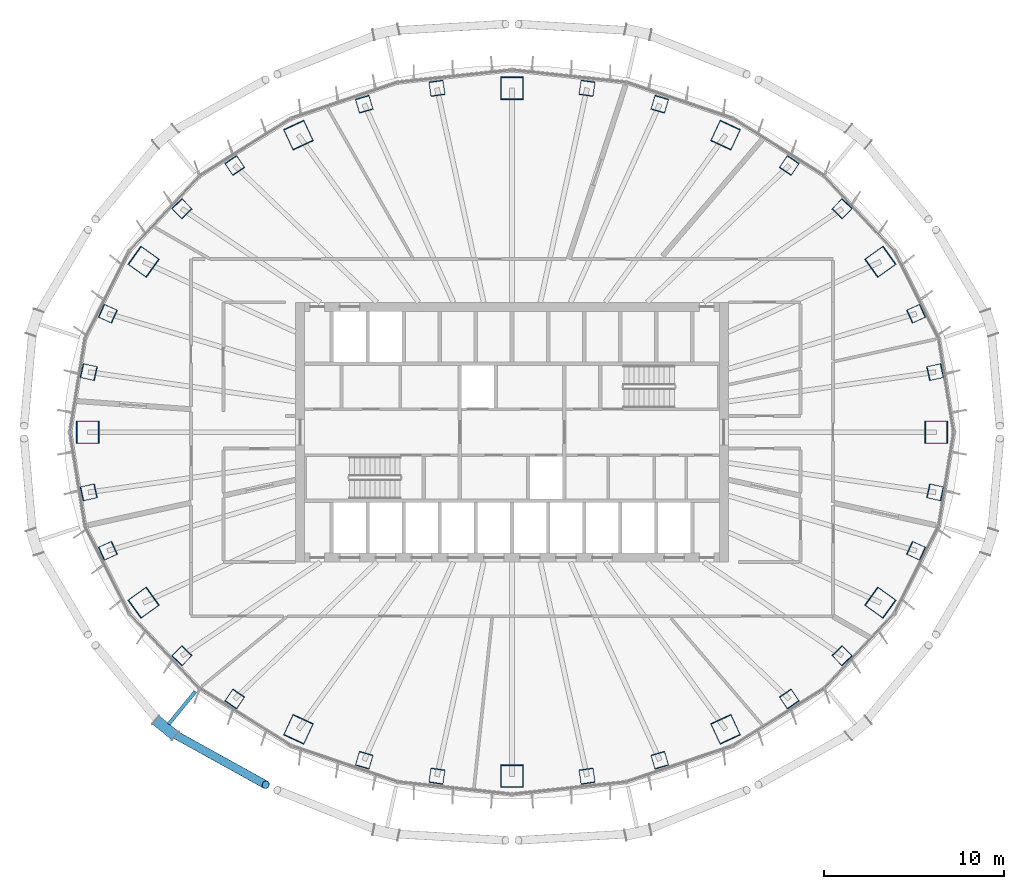
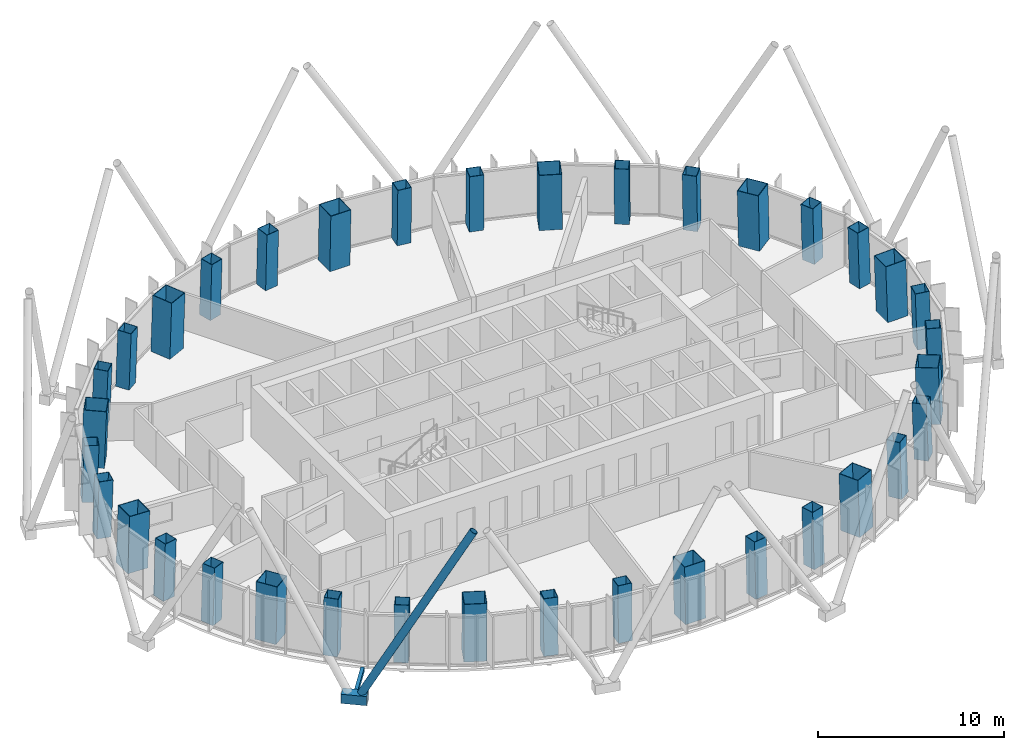
# One storey, part 1 of 18: 36 columns, 3 members.
"""IFC4 building model written with IfcOpenShell, lengths in metres."""

from ifc_helpers import new_model, si_unit, direction, frame, origin, origin_2d, place, context, subcontext, project, spatial, hollow_rectangle, hollow_circle, extrude, material, material_profile, profile_set, type_object, element, save


model = new_model("IFC4")

# Units and contexts
model_context = context("Model", 3, precision=1e-05, world=origin(), true_north=direction((0.0, 1.0)))
body_context = subcontext(model_context, "Body", "Model", "MODEL_VIEW")
ifc_project = project(units=[si_unit("LENGTHUNIT", "METRE"), si_unit("AREAUNIT", "SQUARE_METRE"), si_unit("VOLUMEUNIT", "CUBIC_METRE"), si_unit("PLANEANGLEUNIT", "RADIAN"), si_unit("MASSUNIT", "GRAM", prefix="KILO")], contexts=[model_context])

# Site, building, storey
site_placement = place(None, origin())
site = spatial("IfcSite", under=ifc_project, at=site_placement, CompositionType="ELEMENT")
building_placement = place(site_placement, origin())
building = spatial("IfcBuilding", under=site, at=building_placement, Name="Siaravel Broadcast Tower", CompositionType="ELEMENT")
storey_placement = place(building_placement, frame((0.0, 0.0, 141.5)))
storey = spatial("IfcBuildingStorey", under=building, at=storey_placement, Name="L34", CompositionType="ELEMENT", Elevation=141.5)

# Columns
ifc_material_1 = material(Name="Concrete C60/75", Category="concrete")
ifc_material_profile_1 = material_profile(ifc_material_1, hollow_rectangle(XDim=1.25, YDim=1.25, WallThickness=0.031982421875, at=origin_2d()))
ifc_profile_set_1 = profile_set([ifc_material_profile_1], Name="Concrete C60/75")
column_type_1 = type_object("IfcColumnType", Name="COL-CFT BOX 1250x1250x32", PredefinedType="COLUMN", material=ifc_profile_set_1)
column_1_placement = place(storey_placement, frame((23.544921875, 0.0, 0.0), z_axis=(-0.034621265, 0.0, 0.999400504), x_axis=(0.0, -1.0, 0.0)))
element("IfcColumn", 1, at=column_1_placement, inside=storey, type_object=column_type_1, Name="Megacolumn MC01", PredefinedType="COLUMN", context=body_context, shape_type="SweptSolid", body=[
    extrude(hollow_rectangle(XDim=1.25, YDim=1.25, WallThickness=0.031982421875, at=origin_2d()), origin(), (0.0, 0.0, 1.0), 3.7021484375),
])
column_2_placement = place(storey_placement, frame((20.444091796875, 9.459716796875, 0.0), z_axis=(-0.030006556, -0.014178922, 0.999449131), x_axis=(0.582587139, -0.81274639, 0.00596085)))
element("IfcColumn", 2, at=column_2_placement, inside=storey, type_object=column_type_1, Name="Megacolumn MC02", PredefinedType="COLUMN", context=body_context, shape_type="SweptSolid", body=[
    extrude(hollow_rectangle(XDim=1.25, YDim=1.25, WallThickness=0.031982421875, at=origin_2d()), origin(), (0.0, 0.0, 1.0), 3.701904296875),
])
column_3_placement = place(storey_placement, frame((11.852294921875, 16.488037109375, 0.0), z_axis=(-0.017346173, -0.024535271, 0.999548463), x_axis=(0.90729141, -0.420467448, 0.0054242)))
element("IfcColumn", 3, at=column_3_placement, inside=storey, type_object=column_type_1, Name="Megacolumn MC03", PredefinedType="COLUMN", context=body_context, shape_type="SweptSolid", body=[
    extrude(hollow_rectangle(XDim=1.25, YDim=1.25, WallThickness=0.031982421875, at=origin_2d()), origin(), (0.0, 0.0, 1.0), 3.70166015625),
])
column_4_placement = place(storey_placement, frame((0.0, 19.0869140625, 0.0), z_axis=(0.0, -0.02836206, 0.999597716), x_axis=(1.0, 0.0, 0.0)))
element("IfcColumn", 4, at=column_4_placement, inside=storey, type_object=column_type_1, Name="Megacolumn MC04", PredefinedType="COLUMN", context=body_context, shape_type="SweptSolid", body=[
    extrude(hollow_rectangle(XDim=1.25, YDim=1.25, WallThickness=0.031982421875, at=origin_2d()), origin(), (0.0, 0.0, 1.0), 3.701416015625),
])
column_5_placement = place(storey_placement, frame((-11.852294921875, 16.488037109375, 0.0), z_axis=(0.017346173, -0.024535271, 0.999548463), x_axis=(0.90729141, 0.420467448, -0.0054242)))
element("IfcColumn", 5, at=column_5_placement, inside=storey, type_object=column_type_1, Name="Megacolumn MC05", PredefinedType="COLUMN", context=body_context, shape_type="SweptSolid", body=[
    extrude(hollow_rectangle(XDim=1.25, YDim=1.25, WallThickness=0.031982421875, at=origin_2d()), origin(), (0.0, 0.0, 1.0), 3.70166015625),
])
column_6_placement = place(storey_placement, frame((-20.444091796875, 9.459716796875, 0.0), z_axis=(0.030006556, -0.014178922, 0.999449131), x_axis=(0.582587139, 0.81274639, -0.00596085)))
element("IfcColumn", 6, at=column_6_placement, inside=storey, type_object=column_type_1, Name="Megacolumn MC06", PredefinedType="COLUMN", context=body_context, shape_type="SweptSolid", body=[
    extrude(hollow_rectangle(XDim=1.25, YDim=1.25, WallThickness=0.031982421875, at=origin_2d()), origin(), (0.0, 0.0, 1.0), 3.701904296875),
])
column_7_placement = place(storey_placement, frame((-23.544921875, 0.0, 0.0), z_axis=(0.034621265, 0.0, 0.999400504), x_axis=(0.0, 1.0, 0.0)))
element("IfcColumn", 7, at=column_7_placement, inside=storey, type_object=column_type_1, Name="Megacolumn MC07", PredefinedType="COLUMN", context=body_context, shape_type="SweptSolid", body=[
    extrude(hollow_rectangle(XDim=1.25, YDim=1.25, WallThickness=0.031982421875, at=origin_2d()), origin(), (0.0, 0.0, 1.0), 3.7021484375),
])
column_8_placement = place(storey_placement, frame((-20.444091796875, -9.459716796875, 0.0), z_axis=(0.030006556, 0.014178922, 0.999449131), x_axis=(-0.582587139, 0.81274639, 0.00596085)))
element("IfcColumn", 8, at=column_8_placement, inside=storey, type_object=column_type_1, Name="Megacolumn MC08", PredefinedType="COLUMN", context=body_context, shape_type="SweptSolid", body=[
    extrude(hollow_rectangle(XDim=1.25, YDim=1.25, WallThickness=0.031982421875, at=origin_2d()), origin(), (0.0, 0.0, 1.0), 3.701904296875),
])
column_9_placement = place(storey_placement, frame((-11.852294921875, -16.488037109375, 0.0), z_axis=(0.017346173, 0.024535271, 0.999548463), x_axis=(-0.90729141, 0.420467448, 0.0054242)))
element("IfcColumn", 9, at=column_9_placement, inside=storey, type_object=column_type_1, Name="Megacolumn MC09", PredefinedType="COLUMN", context=body_context, shape_type="SweptSolid", body=[
    extrude(hollow_rectangle(XDim=1.25, YDim=1.25, WallThickness=0.031982421875, at=origin_2d()), origin(), (0.0, 0.0, 1.0), 3.70166015625),
])
column_10_placement = place(storey_placement, frame((0.0, -19.0869140625, 0.0), z_axis=(0.0, 0.02836206, 0.999597716), x_axis=(-1.0, 0.0, 0.0)))
element("IfcColumn", 10, at=column_10_placement, inside=storey, type_object=column_type_1, Name="Megacolumn MC10", PredefinedType="COLUMN", context=body_context, shape_type="SweptSolid", body=[
    extrude(hollow_rectangle(XDim=1.25, YDim=1.25, WallThickness=0.031982421875, at=origin_2d()), origin(), (0.0, 0.0, 1.0), 3.701416015625),
])
column_11_placement = place(storey_placement, frame((11.852294921875, -16.488037109375, 0.0), z_axis=(-0.017346173, 0.024535271, 0.999548463), x_axis=(-0.90729141, -0.420467448, -0.0054242)))
element("IfcColumn", 11, at=column_11_placement, inside=storey, type_object=column_type_1, Name="Megacolumn MC11", PredefinedType="COLUMN", context=body_context, shape_type="SweptSolid", body=[
    extrude(hollow_rectangle(XDim=1.25, YDim=1.25, WallThickness=0.031982421875, at=origin_2d()), origin(), (0.0, 0.0, 1.0), 3.70166015625),
])
column_12_placement = place(storey_placement, frame((20.444091796875, -9.459716796875, 0.0), z_axis=(-0.030006556, 0.014178922, 0.999449131), x_axis=(-0.582587139, -0.81274639, -0.00596085)))
element("IfcColumn", 12, at=column_12_placement, inside=storey, type_object=column_type_1, Name="Megacolumn MC12", PredefinedType="COLUMN", context=body_context, shape_type="SweptSolid", body=[
    extrude(hollow_rectangle(XDim=1.25, YDim=1.25, WallThickness=0.031982421875, at=origin_2d()), origin(), (0.0, 0.0, 1.0), 3.701904296875),
])
ifc_material_profile_2 = material_profile(ifc_material_1, hollow_rectangle(XDim=0.800048828125, YDim=0.800048828125, WallThickness=0.02490234375, at=origin_2d()))
ifc_profile_set_2 = profile_set([ifc_material_profile_2], Name="Concrete C60/75")
column_type_2 = type_object("IfcColumnType", Name="COL-CFT BOX 800x800x25", PredefinedType="COLUMN", material=ifc_profile_set_2)
for number, where, z_axis, x_axis, name in (
    (13, (23.48828125, 3.337158203125, 0.0), (-0.034028034, -0.004945935, 0.99940864), (0.213533929, -0.976932612, 0.002435735), "Perimeter column C01"),
    (14, (22.427490234375, 6.57958984375, 0.0), (-0.032511791, -0.009694185, 0.999424337), (0.410028857, -0.91206149, 0.004491665), "Perimeter column C02"),
):
    element("IfcColumn", number, at=place(storey_placement, frame(where, z_axis=z_axis, x_axis=x_axis)), inside=storey, type_object=column_type_2, Name=name, PredefinedType="COLUMN", context=body_context, shape_type="SweptSolid", body=[
        extrude(hollow_rectangle(XDim=0.800048828125, YDim=0.800048828125, WallThickness=0.02490234375, at=origin_2d()), origin(), (0.0, 0.0, 1.0), 3.7021484375),
    ])
column_13_placement = place(storey_placement, frame((18.3203125, 12.4033203125, 0.0), z_axis=(-0.026512179, -0.018202391, 0.999482755), x_axis=(0.720020095, -0.693923131, 0.006461583)))
element("IfcColumn", 15, at=column_13_placement, inside=storey, type_object=column_type_2, Name="Perimeter column C03", PredefinedType="COLUMN", context=body_context, shape_type="SweptSolid", body=[
    extrude(hollow_rectangle(XDim=0.800048828125, YDim=0.800048828125, WallThickness=0.02490234375, at=origin_2d()), origin(), (0.0, 0.0, 1.0), 3.701904296875),
])
column_14_placement = place(storey_placement, frame((15.38818359375, 14.8046875, 0.0), z_axis=(-0.022226156, -0.021698532, 0.999517469), x_axis=(0.828164961, -0.560449594, 0.006249005)))
element("IfcColumn", 16, at=column_14_placement, inside=storey, type_object=column_type_2, Name="Perimeter column C04", PredefinedType="COLUMN", context=body_context, shape_type="SweptSolid", body=[
    extrude(hollow_rectangle(XDim=0.800048828125, YDim=0.800048828125, WallThickness=0.02490234375, at=origin_2d()), origin(), (0.0, 0.0, 1.0), 3.70166015625),
])
for number, where, z_axis, x_axis, name in (
    (17, (8.200439453125, 18.202880859375, 0.0), (-0.011806266, -0.026646544, 0.999575197), (0.960048127, -0.279808036, 0.003880315), "Perimeter column C05"),
    (18, (4.165283203125, 19.08837890625, 0.0), (-0.006068129, -0.027900201, 0.999592295), (0.989821273, -0.142301433, 0.002036955), "Perimeter column C06"),
    (19, (-4.165283203125, 19.08837890625, 0.0), (0.006068129, -0.027900201, 0.999592295), (0.989821273, 0.142301433, -0.002036955), "Perimeter column C07"),
    (20, (-8.200439453125, 18.202880859375, 0.0), (0.011806266, -0.026646544, 0.999575197), (0.960048127, 0.279808036, -0.003880315), "Perimeter column C08"),
):
    element("IfcColumn", number, at=place(storey_placement, frame(where, z_axis=z_axis, x_axis=x_axis)), inside=storey, type_object=column_type_2, Name=name, PredefinedType="COLUMN", context=body_context, shape_type="SweptSolid", body=[
        extrude(hollow_rectangle(XDim=0.800048828125, YDim=0.800048828125, WallThickness=0.02490234375, at=origin_2d()), origin(), (0.0, 0.0, 1.0), 3.701416015625),
    ])
column_15_placement = place(storey_placement, frame((-15.38818359375, 14.8046875, 0.0), z_axis=(0.022226156, -0.021698532, 0.999517469), x_axis=(0.828164961, 0.560449594, -0.006249005)))
element("IfcColumn", 21, at=column_15_placement, inside=storey, type_object=column_type_2, Name="Perimeter column C09", PredefinedType="COLUMN", context=body_context, shape_type="SweptSolid", body=[
    extrude(hollow_rectangle(XDim=0.800048828125, YDim=0.800048828125, WallThickness=0.02490234375, at=origin_2d()), origin(), (0.0, 0.0, 1.0), 3.70166015625),
])
column_16_placement = place(storey_placement, frame((-18.3203125, 12.4033203125, 0.0), z_axis=(0.026512179, -0.018202391, 0.999482755), x_axis=(0.720020095, 0.693923131, -0.006461583)))
element("IfcColumn", 22, at=column_16_placement, inside=storey, type_object=column_type_2, Name="Perimeter column C10", PredefinedType="COLUMN", context=body_context, shape_type="SweptSolid", body=[
    extrude(hollow_rectangle(XDim=0.800048828125, YDim=0.800048828125, WallThickness=0.02490234375, at=origin_2d()), origin(), (0.0, 0.0, 1.0), 3.701904296875),
])
for number, where, z_axis, x_axis, name in (
    (23, (-22.427490234375, 6.57958984375, 0.0), (0.032511791, -0.009694185, 0.999424337), (0.410028857, 0.91206149, -0.004491665), "Perimeter column C11"),
    (24, (-23.48828125, 3.337158203125, 0.0), (0.034028034, -0.004945935, 0.99940864), (0.213533929, 0.976932612, -0.002435735), "Perimeter column C12"),
    (25, (-23.48828125, -3.337158203125, 0.0), (0.034028034, 0.004945935, 0.99940864), (-0.213533929, 0.976932612, 0.002435735), "Perimeter column C13"),
    (26, (-22.427490234375, -6.57958984375, 0.0), (0.032511791, 0.009694185, 0.999424337), (-0.410028857, 0.91206149, 0.004491665), "Perimeter column C14"),
):
    element("IfcColumn", number, at=place(storey_placement, frame(where, z_axis=z_axis, x_axis=x_axis)), inside=storey, type_object=column_type_2, Name=name, PredefinedType="COLUMN", context=body_context, shape_type="SweptSolid", body=[
        extrude(hollow_rectangle(XDim=0.800048828125, YDim=0.800048828125, WallThickness=0.02490234375, at=origin_2d()), origin(), (0.0, 0.0, 1.0), 3.7021484375),
    ])
column_17_placement = place(storey_placement, frame((-18.3203125, -12.4033203125, 0.0), z_axis=(0.026512179, 0.018202391, 0.999482755), x_axis=(-0.720020095, 0.693923131, 0.006461583)))
element("IfcColumn", 27, at=column_17_placement, inside=storey, type_object=column_type_2, Name="Perimeter column C15", PredefinedType="COLUMN", context=body_context, shape_type="SweptSolid", body=[
    extrude(hollow_rectangle(XDim=0.800048828125, YDim=0.800048828125, WallThickness=0.02490234375, at=origin_2d()), origin(), (0.0, 0.0, 1.0), 3.701904296875),
])
column_18_placement = place(storey_placement, frame((-15.38818359375, -14.8046875, 0.0), z_axis=(0.022226156, 0.021698532, 0.999517469), x_axis=(-0.828164961, 0.560449594, 0.006249005)))
element("IfcColumn", 28, at=column_18_placement, inside=storey, type_object=column_type_2, Name="Perimeter column C16", PredefinedType="COLUMN", context=body_context, shape_type="SweptSolid", body=[
    extrude(hollow_rectangle(XDim=0.800048828125, YDim=0.800048828125, WallThickness=0.02490234375, at=origin_2d()), origin(), (0.0, 0.0, 1.0), 3.70166015625),
])
for number, where, z_axis, x_axis, name in (
    (29, (-8.200439453125, -18.202880859375, 0.0), (0.011806266, 0.026646544, 0.999575197), (-0.960048127, 0.279808036, 0.003880315), "Perimeter column C17"),
    (30, (-4.165283203125, -19.08837890625, 0.0), (0.006068129, 0.027900201, 0.999592295), (-0.989821273, 0.142301433, 0.002036955), "Perimeter column C18"),
    (31, (4.165283203125, -19.08837890625, 0.0), (-0.006068129, 0.027900201, 0.999592295), (-0.989821273, -0.142301433, -0.002036955), "Perimeter column C19"),
    (32, (8.200439453125, -18.202880859375, 0.0), (-0.011806266, 0.026646544, 0.999575197), (-0.960048127, -0.279808036, -0.003880315), "Perimeter column C20"),
):
    element("IfcColumn", number, at=place(storey_placement, frame(where, z_axis=z_axis, x_axis=x_axis)), inside=storey, type_object=column_type_2, Name=name, PredefinedType="COLUMN", context=body_context, shape_type="SweptSolid", body=[
        extrude(hollow_rectangle(XDim=0.800048828125, YDim=0.800048828125, WallThickness=0.02490234375, at=origin_2d()), origin(), (0.0, 0.0, 1.0), 3.701416015625),
    ])
column_19_placement = place(storey_placement, frame((15.38818359375, -14.8046875, 0.0), z_axis=(-0.022226156, 0.021698532, 0.999517469), x_axis=(-0.828164961, -0.560449594, -0.006249005)))
element("IfcColumn", 33, at=column_19_placement, inside=storey, type_object=column_type_2, Name="Perimeter column C21", PredefinedType="COLUMN", context=body_context, shape_type="SweptSolid", body=[
    extrude(hollow_rectangle(XDim=0.800048828125, YDim=0.800048828125, WallThickness=0.02490234375, at=origin_2d()), origin(), (0.0, 0.0, 1.0), 3.70166015625),
])
column_20_placement = place(storey_placement, frame((18.3203125, -12.4033203125, 0.0), z_axis=(-0.026512179, 0.018202391, 0.999482755), x_axis=(-0.720020095, -0.693923131, -0.006461583)))
element("IfcColumn", 34, at=column_20_placement, inside=storey, type_object=column_type_2, Name="Perimeter column C22", PredefinedType="COLUMN", context=body_context, shape_type="SweptSolid", body=[
    extrude(hollow_rectangle(XDim=0.800048828125, YDim=0.800048828125, WallThickness=0.02490234375, at=origin_2d()), origin(), (0.0, 0.0, 1.0), 3.701904296875),
])
for number, where, z_axis, x_axis, name in (
    (35, (22.427490234375, -6.57958984375, 0.0), (-0.032511791, 0.009694185, 0.999424337), (-0.410028857, -0.91206149, -0.004491665), "Perimeter column C23"),
    (36, (23.48828125, -3.337158203125, 0.0), (-0.034028034, 0.004945935, 0.99940864), (-0.213533929, -0.976932612, -0.002435735), "Perimeter column C24"),
):
    element("IfcColumn", number, at=place(storey_placement, frame(where, z_axis=z_axis, x_axis=x_axis)), inside=storey, type_object=column_type_2, Name=name, PredefinedType="COLUMN", context=body_context, shape_type="SweptSolid", body=[
        extrude(hollow_rectangle(XDim=0.800048828125, YDim=0.800048828125, WallThickness=0.02490234375, at=origin_2d()), origin(), (0.0, 0.0, 1.0), 3.7021484375),
    ])

# Members
ifc_material_2 = material(Name="Steel S460", Category="steel")
ifc_material_profile_3 = material_profile(ifc_material_2, hollow_circle(Radius=0.228515625, WallThickness=0.02001953125, at=origin_2d()))
ifc_profile_set_3 = profile_set([ifc_material_profile_3], Name="Steel S460")
member_type_1 = type_object("IfcMemberType", Name="Diagrid diagonal CHS 457x20", PredefinedType="BRACE", material=ifc_profile_set_3)
member_1_placement = place(storey_placement, frame((-18.93798828125, -16.61962890625, 0.070068359375), z_axis=(0.434245628, -0.240594195, 0.868069795), x_axis=(0.484636897, 0.874715427, 0.0)))
element("IfcMember", 37, at=member_1_placement, inside=storey, type_object=member_type_1, Name="Diagrid diagonal R14 station 45A", PredefinedType="BRACE", context=body_context, shape_type="SweptSolid", body=[
    extrude(hollow_circle(Radius=0.228515625, WallThickness=0.02001953125, at=origin_2d()), origin(), (0.0, 0.0, 1.0), 12.164794921875),
])
ifc_material_profile_4 = material_profile(ifc_material_2, hollow_rectangle(XDim=0.60009765625, YDim=0.60009765625, WallThickness=0.0400390625, at=origin_2d()))
ifc_profile_set_4 = profile_set([ifc_material_profile_4], Name="Steel S460")
member_type_2 = type_object("IfcMemberType", Name="Diagrid node BOX 600x600x40", PredefinedType="USERDEFINED", material=ifc_profile_set_4)
member_2_placement = place(storey_placement, frame((-19.751220703125, -15.95361328125, -0.199951171875), z_axis=(0.773584133, -0.633693609, 0.0), x_axis=(0.633693609, 0.773584133, 0.0)))
element("IfcMember", 38, at=member_2_placement, inside=storey, type_object=member_type_2, Name="Diagrid node R14 station 45", ObjectType="DIAGRID NODE", PredefinedType="USERDEFINED", context=body_context, shape_type="SweptSolid", body=[
    extrude(hollow_rectangle(XDim=0.60009765625, YDim=0.60009765625, WallThickness=0.0400390625, at=origin_2d()), origin(), (0.0, 0.0, 1.0), 1.399658203125),
])
ifc_material_profile_5 = material_profile(ifc_material_2, hollow_rectangle(XDim=0.199951171875, YDim=0.300048828125, WallThickness=0.012451171875, at=origin_2d()))
ifc_profile_set_5 = profile_set([ifc_material_profile_5], Name="Steel S460")
member_type_3 = type_object("IfcMemberType", Name="Diagrid node arm RHS 300x200x12.5", PredefinedType="STRUT", material=ifc_profile_set_5)
member_3_placement = place(storey_placement, frame((-17.562255859375, -14.385498046875, -0.199951171875), z_axis=(-0.633699844, -0.773579025, 0.0), x_axis=(0.773579025, -0.633699844, 0.0)))
element("IfcMember", 39, at=member_3_placement, inside=storey, type_object=member_type_3, Name="Node arm R14 station 45", PredefinedType="STRUT", context=body_context, shape_type="SweptSolid", body=[
    extrude(hollow_rectangle(XDim=0.199951171875, YDim=0.300048828125, WallThickness=0.012451171875, at=origin_2d()), origin(), (0.0, 0.0, 1.0), 2.330078125),
])

save(model, "model.ifc")
